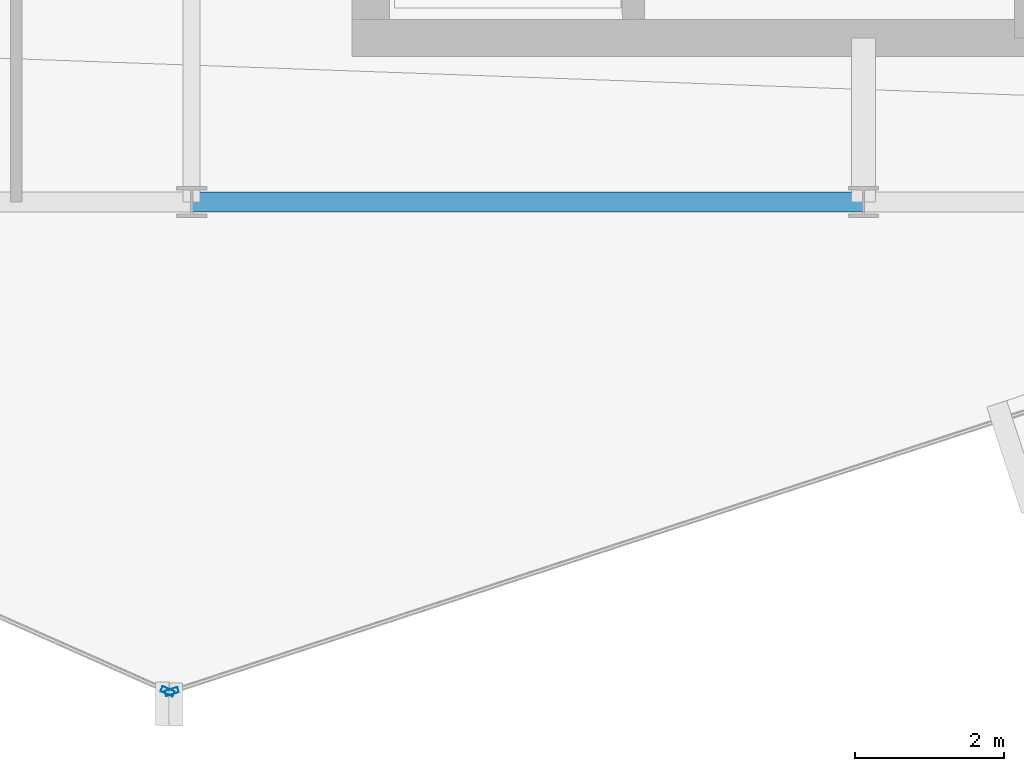
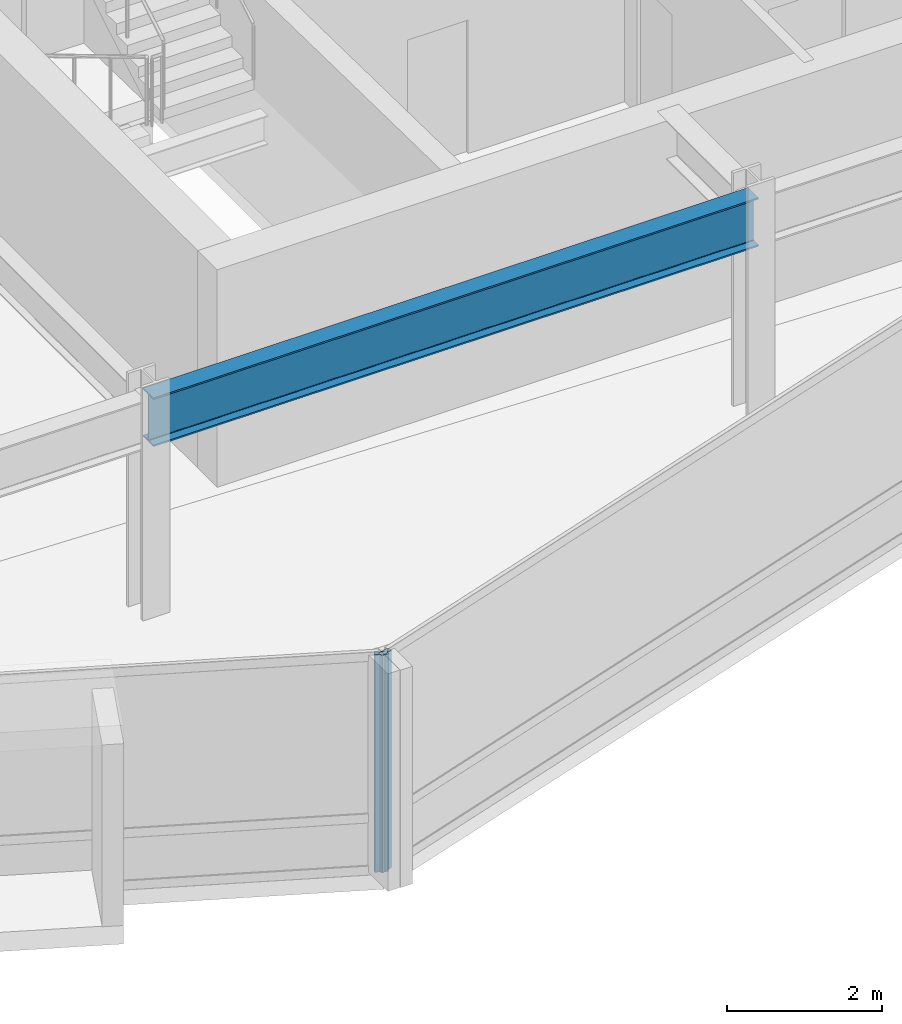
# One storey, part 4 of 27: 2 members, 1 beam, 2 elements without a shape of their own.
"""IFC4 building model written with IfcOpenShell, lengths in metres."""

from ifc_helpers import new_model, si_unit, direction, frame, origin, origin_2d, place, context, subcontext, project, spatial, hollow_rectangle, i_section, extrude, material, layer, layer_set, material_profile, profile_set, type_object, element, aggregate, save


model = new_model("IFC4")

# Units and contexts
model_context = context("Model", 3, precision=1e-05, world=origin(), true_north=direction((0.0, 1.0)))
body_context = subcontext(model_context, "Body", "Model", "MODEL_VIEW")
ifc_project = project(units=[si_unit("LENGTHUNIT", "METRE"), si_unit("AREAUNIT", "SQUARE_METRE"), si_unit("VOLUMEUNIT", "CUBIC_METRE"), si_unit("PLANEANGLEUNIT", "RADIAN"), si_unit("MASSUNIT", "GRAM", prefix="KILO")], contexts=[model_context])

# Site, building, storey
site_placement = place(None, origin())
site = spatial("IfcSite", under=ifc_project, at=site_placement, CompositionType="ELEMENT")
building_placement = place(site_placement, origin())
building = spatial("IfcBuilding", under=site, at=building_placement, Name="Solvaryn Broadcast Tower", CompositionType="ELEMENT")
storey_placement = place(building_placement, frame((0.0, 0.0, 181.60009765625)))
storey = spatial("IfcBuildingStorey", under=building, at=storey_placement, Name="L45", CompositionType="ELEMENT", Elevation=181.60009765625)

# Beam
ifc_material_1 = material(Name="Steel ASTM A992 Grade 50", Category="steel")
ifc_material_profile_1 = material_profile(ifc_material_1, i_section(OverallWidth=0.26708984375, OverallDepth=0.76611328125, WebThickness=0.014892578125, FlangeThickness=0.023681640625, FilletRadius=0.01806640625, at=origin_2d()))
ifc_profile_set_1 = profile_set([ifc_material_profile_1], Name="Steel ASTM A992 Grade 50")
beam_type = type_object("IfcBeamType", Name="BM-SP2-W30X124", PredefinedType="USERDEFINED", material=ifc_profile_set_1)
beam_placement = place(storey_placement, frame((27.0, 9.0, 3.036865234375), z_axis=(1.0, 0.0, 0.0), x_axis=(0.0, 1.0, 0.0)))
element("IfcBeam", 1, at=beam_placement, inside=storey, type_object=beam_type, Name="L45 Spandrel Beam X (27-36 @ Y=9)", ObjectType="SPANDREL", PredefinedType="USERDEFINED", context=body_context, shape_type="SweptSolid", body=[
    extrude(i_section(OverallWidth=0.26708984375, OverallDepth=0.76611328125, WebThickness=0.014892578125, FlangeThickness=0.023681640625, FilletRadius=0.01806640625, at=origin_2d()), origin(), (0.0, 0.0, 1.0), 9.0),
])

# Curtain wall, member
ifc_material_2 = material(Name="Aluminium and Terracotta Unitised Curtain Wall", Category="masonry")
ifc_layer = layer(ifc_material_2, 0.199951171875)
ifc_layer_set = layer_set([ifc_layer], Name="CW-SYS2-LOWMID")
curtain_wall_type = type_object("IfcCurtainWallType", Name="CW-SYS2-LOWMID", PredefinedType="NOTDEFINED", material=ifc_layer_set)
curtain_wall_1_placement = place(storey_placement, origin())
curtain_wall_1 = element("IfcCurtainWall", 2, at=curtain_wall_1_placement, inside=storey, type_object=curtain_wall_type, Name="L45 Curtain Wall DR3", PredefinedType="NOTDEFINED")
ifc_material_3 = material(Name="Anodised Aluminium 6063-T6", Category="aluminium")
ifc_material_profile_2 = material_profile(ifc_material_3, hollow_rectangle(XDim=0.074951171875, YDim=0.179931640625, WallThickness=0.00390625, InnerFilletRadius=0.00390625, OuterFilletRadius=0.008056640625, at=origin_2d()))
ifc_profile_set_2 = profile_set([ifc_material_profile_2], Name="Anodised Aluminium 6063-T6")
member_type = type_object("IfcMemberType", Name="CW-MUL-180", PredefinedType="MULLION", material=ifc_profile_set_2)
member_1_placement = place(storey_placement, frame((26.678466796875, 2.445068359375, 0.0), z_axis=(0.0, 0.0, 1.0), x_axis=(0.405901337237, 0.913916902365, 0.0)))
member_1 = element("IfcMember", 3, at=member_1_placement, type_object=member_type, Name="CWS2 mullion 2", PredefinedType="MULLION", context=body_context, shape_type="SweptSolid", body=[
    extrude(hollow_rectangle(XDim=0.074951171875, YDim=0.179931640625, WallThickness=0.00390625, InnerFilletRadius=0.00390625, OuterFilletRadius=0.008056640625, at=origin_2d()), origin(), (0.0, 0.0, 1.0), 3.419921875),
])
aggregate(curtain_wall_1, [member_1])

curtain_wall_2_placement = place(storey_placement, origin())
curtain_wall_2 = element("IfcCurtainWall", 4, at=curtain_wall_2_placement, inside=storey, type_object=curtain_wall_type, Name="L45 Curtain Wall DR4", PredefinedType="NOTDEFINED")
member_2_placement = place(storey_placement, frame((26.734619140625, 2.4423828125, 0.0), z_axis=(0.0, 0.0, 1.0), x_axis=(-0.311558717623, 0.950226902099, 0.0)))
member_2 = element("IfcMember", 5, at=member_2_placement, type_object=member_type, Name="CWS2 mullion 1", PredefinedType="MULLION", context=body_context, shape_type="SweptSolid", body=[
    extrude(hollow_rectangle(XDim=0.074951171875, YDim=0.179931640625, WallThickness=0.00390625, InnerFilletRadius=0.00390625, OuterFilletRadius=0.008056640625, at=origin_2d()), origin(), (0.0, 0.0, 1.0), 3.419921875),
])
aggregate(curtain_wall_2, [member_2])

save(model, "model.ifc")
